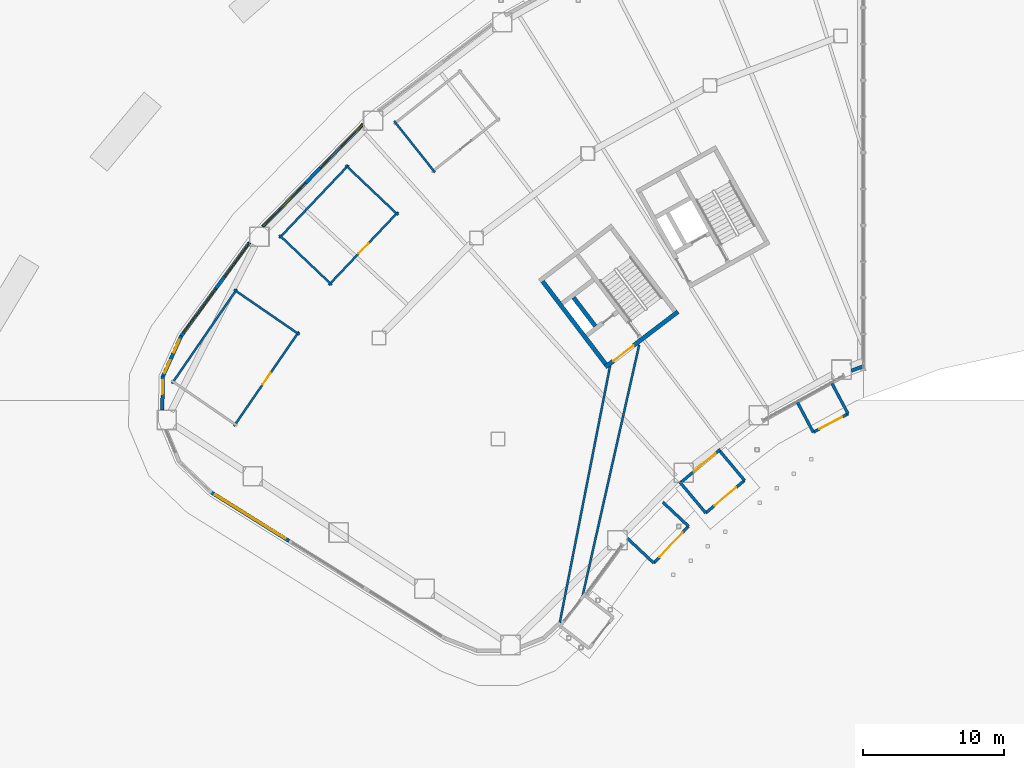
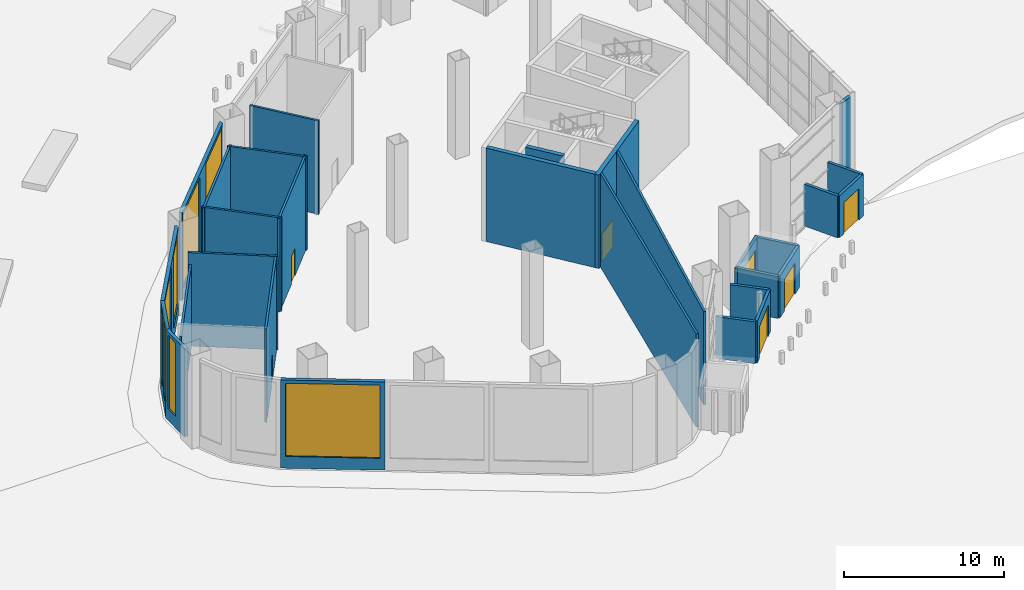
# One storey, part 31 of 45: 29 walls, 8 windows, 7 doors, 15 openings.
"""IFC4 building model written with IfcOpenShell, lengths in metres."""

from ifc_helpers import new_model, si_unit, direction, frame, frame_2d, origin, place, context, subcontext, project, spatial, rectangle, extrude, material, layer, layer_set, type_object, element, fill, save


model = new_model("IFC4")

# Units and contexts
model_context = context("Model", 3, precision=1e-05, world=origin(), true_north=direction((0.0, 1.0)))
body_context = subcontext(model_context, "Body", "Model", "MODEL_VIEW")
ifc_project = project(units=[si_unit("LENGTHUNIT", "METRE"), si_unit("AREAUNIT", "SQUARE_METRE"), si_unit("VOLUMEUNIT", "CUBIC_METRE"), si_unit("PLANEANGLEUNIT", "RADIAN"), si_unit("MASSUNIT", "GRAM", prefix="KILO")], contexts=[model_context])

# Site, building, storey
site_placement = place(None, origin())
site = spatial("IfcSite", under=ifc_project, at=site_placement, CompositionType="ELEMENT")
building_placement = place(site_placement, origin())
building = spatial("IfcBuilding", under=site, at=building_placement, Name="Tuul Gate Civic Tower", CompositionType="ELEMENT")
storey_placement = place(building_placement, origin())
storey = spatial("IfcBuildingStorey", under=building, at=storey_placement, Name="Level 00", CompositionType="ELEMENT", Elevation=0.0)

# Wall, opening, door
ifc_material_1 = material(Name="Concrete C50/60", Category="concrete")
ifc_layer_1 = layer(ifc_material_1, 0.300048828125)
ifc_layer_set_1 = layer_set([ifc_layer_1], Name="Concrete C50/60")
wall_type_1 = type_object("IfcWallType", Name="Core wall C50/60", PredefinedType="SHEAR", material=ifc_layer_set_1)
wall_1_placement = place(storey_placement, frame((-31.19091796875, -13.669677734375, 0.0), z_axis=(0.0, 0.0, 1.0), x_axis=(-0.795606717756, -0.605813461934, 0.0)))
wall_1 = element("IfcWall", 1, at=wall_1_placement, inside=storey, type_object=wall_type_1, Name="Core wall", PredefinedType="SHEAR", context=body_context, shape_type="SweptSolid", body=[
    extrude(rectangle(XDim=6.5, YDim=0.300048828125, at=frame_2d((3.25, 0.0))), origin(), (0.0, 0.0, 1.0), 7.14990234375),
])
opening_1_placement = place(wall_1_placement, frame((3.97509765625, 0.0, 0.0)))
opening_1 = element("IfcOpeningElement", 2, at=opening_1_placement, cuts=wall_1, Name="Opening LB-W1-LOBBY-1", PredefinedType="OPENING", context=body_context, shape_type="SweptSolid", body=[
    extrude(rectangle(XDim=1.800048828125, YDim=2.10009765625, at=frame_2d((0.89990234375, 1.050048828125))), frame((0.0, 0.16015625, 0.0), z_axis=(0.0, -1.0, 0.0), x_axis=(1.0, 0.0, 0.0)), (0.0, 0.0, 1.0), 0.320068359375),
])
ifc_material_2 = material(Name="Steel", Category="steel")
door_type_1 = type_object("IfcDoorType", Name="Lobby door", OperationType="DOUBLE_DOOR_SINGLE_SWING", PredefinedType="DOOR", material=ifc_material_2)
door_1_placement = place(opening_1_placement, frame((1.800048828125, 0.0, 0.0), z_axis=(0.0, 0.0, 1.0), x_axis=(-1.0, 0.0, 0.0)))
door_1 = element("IfcDoor", 3, at=door_1_placement, inside=storey, type_object=door_type_1, Name="Lobby door W1-LOBBY", OperationType="DOUBLE_DOOR_SINGLE_SWING", OverallHeight=2.10009765625, OverallWidth=1.800048828125, PredefinedType="DOOR", context=body_context, shape_type="SweptSolid", body=[
    extrude(rectangle(XDim=1.800048828125, YDim=2.10009765625, at=frame_2d((0.900146484375, 1.050048828125))), frame((0.0, 0.02490234375, 0.0), z_axis=(0.0, -1.0, 0.0), x_axis=(1.0, 0.0, 0.0)), (0.0, 0.0, 1.0), 0.050048828125),
])
fill(opening_1, door_1)

# Walls
wall_2_placement = place(storey_placement, frame((-37.073486328125, -14.6923828125, 0.0), z_axis=(0.0, 0.0, 1.0), x_axis=(-0.605728760074, 0.79567120673, 0.0)))
element("IfcWall", 4, at=wall_2_placement, inside=storey, type_object=wall_type_1, Name="Core wall", PredefinedType="SHEAR", context=body_context, shape_type="SweptSolid", body=[
    extrude(rectangle(XDim=2.550048828125, YDim=0.300048828125, at=frame_2d((1.27490234375, 0.0))), origin(), (0.0, 0.0, 1.0), 7.14990234375),
])
wall_3_placement = place(storey_placement, frame((-36.333984375, -17.397216796875, 0.0), z_axis=(0.0, 0.0, 1.0), x_axis=(-0.605753921168, 0.795652051458, 0.0)))
element("IfcWall", 5, at=wall_3_placement, inside=storey, type_object=wall_type_1, Name="Core wall", PredefinedType="SHEAR", context=body_context, shape_type="SweptSolid", body=[
    extrude(rectangle(XDim=7.400146484375, YDim=0.300048828125, at=frame_2d((3.7001953125, 0.0))), origin(), (0.0, 0.0, 1.0), 7.14990234375),
])
ifc_material_3 = material(Name="Fire-rated glazed steel S355", Category="steel")
ifc_layer_2 = layer(ifc_material_3, 0.199951171875)
ifc_layer_set_2 = layer_set([ifc_layer_2], Name="Fire-rated glazed steel S355")
wall_type_2 = type_object("IfcWallType", Name="Exit lobby wall", PredefinedType="SOLIDWALL", material=ifc_layer_set_2)
wall_4_placement = place(storey_placement, frame((-22.7373046875, -20.029296875, 0.0), z_axis=(0.0, 0.0, 1.0), x_axis=(0.467681307417, -0.883897162962, 0.0)))
element("IfcWall", 6, at=wall_4_placement, inside=storey, type_object=wall_type_2, Name="Exit lobby wall", PredefinedType="SOLIDWALL", context=body_context, shape_type="SweptSolid", body=[
    extrude(rectangle(XDim=2.5, YDim=0.199951171875, at=frame_2d((1.25, 0.0))), origin(), (0.0, 0.0, 1.0), 3.199951171875),
])
wall_5_placement = place(storey_placement, frame((-20.2626953125, -18.7197265625, 0.0), z_axis=(0.0, 0.0, 1.0), x_axis=(0.467797975124, -0.883835422729, 0.0)))
element("IfcWall", 7, at=wall_5_placement, inside=storey, type_object=wall_type_2, Name="Exit lobby wall", PredefinedType="SOLIDWALL", context=body_context, shape_type="SweptSolid", body=[
    extrude(rectangle(XDim=2.499755859375, YDim=0.199951171875, at=frame_2d((1.25, 0.0))), origin(), (0.0, 0.0, 1.0), 3.199951171875),
])

# Wall, opening, door
wall_6_placement = place(storey_placement, frame((-21.568115234375, -22.239013671875, 0.0), z_axis=(0.0, 0.0, 1.0), x_axis=(0.88384729284, 0.467775547607, 0.0)))
wall_6 = element("IfcWall", 8, at=wall_6_placement, inside=storey, type_object=wall_type_2, Name="Exit lobby wall", PredefinedType="SOLIDWALL", context=body_context, shape_type="SweptSolid", body=[
    extrude(rectangle(XDim=2.800048828125, YDim=0.199951171875, at=frame_2d((1.39990234375, 0.0))), origin(), (0.0, 0.0, 1.0), 3.199951171875),
])
opening_2_placement = place(wall_6_placement, frame((0.5, 0.0, 0.0)))
opening_2 = element("IfcOpeningElement", 9, at=opening_2_placement, cuts=wall_6, Name="Opening XD", PredefinedType="OPENING", context=body_context, shape_type="SweptSolid", body=[
    extrude(rectangle(XDim=1.800048828125, YDim=2.39990234375, at=frame_2d((0.89990234375, 1.199951171875))), frame((0.0, 0.10986328125, 0.0), z_axis=(0.0, -1.0, 0.0), x_axis=(1.0, 0.0, 0.0)), (0.0, 0.0, 1.0), 0.219970703125),
])
ifc_material_4 = material(Name="Glazed aluminium", Category="aluminium")
door_type_2 = type_object("IfcDoorType", Name="Exit door", OperationType="DOUBLE_DOOR_SINGLE_SWING", PredefinedType="DOOR", material=ifc_material_4)
door_2_placement = place(opening_2_placement, frame((1.800048828125, 0.0, 0.0), z_axis=(0.0, 0.0, 1.0), x_axis=(-1.0, 0.0, 0.0)))
door_2 = element("IfcDoor", 10, at=door_2_placement, inside=storey, type_object=door_type_2, Name="Exit door", OperationType="DOUBLE_DOOR_SINGLE_SWING", OverallHeight=2.39990234375, OverallWidth=1.800048828125, PredefinedType="DOOR", context=body_context, shape_type="SweptSolid", body=[
    extrude(rectangle(XDim=1.800048828125, YDim=2.39990234375, at=frame_2d((0.900146484375, 1.199951171875))), frame((0.0, 0.02490234375, 0.0), z_axis=(0.0, -1.0, 0.0), x_axis=(1.0, 0.0, 0.0)), (0.0, 0.0, 1.0), 0.050048828125),
])
fill(opening_2, door_2)

# Walls
wall_7_placement = place(storey_placement, frame((-34.7919921875, -29.78173828125, 0.0), z_axis=(0.0, 0.0, 1.0), x_axis=(0.728843781873, -0.684680028644, 0.0)))
element("IfcWall", 11, at=wall_7_placement, inside=storey, type_object=wall_type_2, Name="Exit lobby wall", PredefinedType="SOLIDWALL", context=body_context, shape_type="SweptSolid", body=[
    extrude(rectangle(XDim=2.58154296875, YDim=0.199951171875, at=frame_2d((1.290771484375, 0.0))), origin(), (0.0, 0.0, 1.0), 3.199951171875),
])
wall_8_placement = place(storey_placement, frame((-32.267578125, -27.2138671875, 0.0), z_axis=(0.0, 0.0, 1.0), x_axis=(0.728784570672, -0.684743053671, 0.0)))
element("IfcWall", 12, at=wall_8_placement, inside=storey, type_object=wall_type_2, Name="Exit lobby wall", PredefinedType="SOLIDWALL", context=body_context, shape_type="SweptSolid", body=[
    extrude(rectangle(XDim=2.5, YDim=0.199951171875, at=frame_2d((1.25, 0.0))), origin(), (0.0, 0.0, 1.0), 3.199951171875),
])

# Wall, opening, door
wall_9_placement = place(storey_placement, frame((-32.910400390625, -31.54931640625, 0.0), z_axis=(0.0, 0.0, 1.0), x_axis=(0.684721313955, 0.728804996014, 0.0)))
wall_9 = element("IfcWall", 13, at=wall_9_placement, inside=storey, type_object=wall_type_2, Name="Exit lobby wall", PredefinedType="SOLIDWALL", context=body_context, shape_type="SweptSolid", body=[
    extrude(rectangle(XDim=3.599853515625, YDim=0.199951171875, at=frame_2d((1.7998046875, 0.0))), origin(), (0.0, 0.0, 1.0), 3.199951171875),
])
opening_3_placement = place(wall_9_placement, frame((0.60009765625, 0.0, 0.0)))
opening_3 = element("IfcOpeningElement", 14, at=opening_3_placement, cuts=wall_9, Name="Opening XD1", PredefinedType="OPENING", context=body_context, shape_type="SweptSolid", body=[
    extrude(rectangle(XDim=2.39990234375, YDim=2.39990234375, at=frame_2d((1.199951171875, 1.199951171875))), frame((0.0, 0.10986328125, 0.0), z_axis=(0.0, -1.0, 0.0), x_axis=(1.0, 0.0, 0.0)), (0.0, 0.0, 1.0), 0.219970703125),
])
door_3_placement = place(opening_3_placement, frame((2.39990234375, 0.0, 0.0), z_axis=(0.0, 0.0, 1.0), x_axis=(-1.0, 0.0, 0.0)))
door_3 = element("IfcDoor", 15, at=door_3_placement, inside=storey, type_object=door_type_2, Name="Exit door", OperationType="DOUBLE_DOOR_SINGLE_SWING", OverallHeight=2.39990234375, OverallWidth=2.39990234375, PredefinedType="DOOR", context=body_context, shape_type="SweptSolid", body=[
    extrude(rectangle(XDim=2.39990234375, YDim=2.39990234375, at=frame_2d((1.199951171875, 1.199951171875))), frame((0.0, 0.02490234375, 0.0), z_axis=(0.0, -1.0, 0.0), x_axis=(1.0, 0.0, 0.0)), (0.0, 0.0, 1.0), 0.050048828125),
])
fill(opening_3, door_3)

# Wall, openings, windows
ifc_material_5 = material(Name="Precast concrete C40/50", Category="concrete")
ifc_layer_3 = layer(ifc_material_5, 0.25)
ifc_layer_set_3 = layer_set([ifc_layer_3], Name="Precast concrete C40/50")
wall_type_3 = type_object("IfcWallType", Name="External wall", PredefinedType="STANDARD", material=ifc_layer_set_3)
wall_10_placement = place(storey_placement, frame((-53.577880859375, -0.33154296875, 0.0), z_axis=(0.0, 0.0, 1.0), x_axis=(-0.700010487511, -0.714132562886, 0.0)))
wall_10 = element("IfcWall", 16, at=wall_10_placement, inside=storey, type_object=wall_type_3, Name="External wall", PredefinedType="STANDARD", context=body_context, shape_type="SweptSolid", body=[
    extrude(rectangle(XDim=10.217041015625, YDim=0.25, at=frame_2d((5.1083984375, 0.0))), origin(), (0.0, 0.0, 1.0), 6.75),
])
opening_4_placement = place(wall_10_placement, frame((0.052490234375, 0.0, 0.89990234375)))
opening_4 = element("IfcOpeningElement", 17, at=opening_4_placement, cuts=wall_10, Name="Opening W6", PredefinedType="OPENING", context=body_context, shape_type="SweptSolid", body=[
    extrude(rectangle(XDim=4.300048828125, YDim=5.60009765625, at=frame_2d((2.14990234375, 2.800048828125))), frame((0.0, 0.135009765625, 0.0), z_axis=(0.0, -1.0, 0.0), x_axis=(1.0, 0.0, 0.0)), (0.0, 0.0, 1.0), 0.27001953125),
])
opening_5_placement = place(wall_10_placement, frame((5.858154296875, 0.0, 0.89990234375)))
opening_5 = element("IfcOpeningElement", 18, at=opening_5_placement, cuts=wall_10, Name="Opening W6", PredefinedType="OPENING", context=body_context, shape_type="SweptSolid", body=[
    extrude(rectangle(XDim=4.300048828125, YDim=5.60009765625, at=frame_2d((2.14990234375, 2.800048828125))), frame((0.0, 0.135009765625, 0.0), z_axis=(0.0, -1.0, 0.0), x_axis=(1.0, 0.0, 0.0)), (0.0, 0.0, 1.0), 0.27001953125),
])
ifc_material_6 = material(Name="Glass", Category="glass")
window_type_1 = type_object("IfcWindowType", Name="Window W6 4300 x 5600", PartitioningType="SINGLE_PANEL", PredefinedType="WINDOW", material=ifc_material_6)
window_1_placement = place(opening_4_placement, origin())
window_1 = element("IfcWindow", 19, at=window_1_placement, inside=storey, type_object=window_type_1, Name="Window", OverallHeight=5.60009765625, OverallWidth=4.300048828125, PartitioningType="SINGLE_PANEL", PredefinedType="WINDOW", context=body_context, shape_type="SweptSolid", body=[
    extrude(rectangle(XDim=4.300048828125, YDim=5.60009765625, at=frame_2d((2.14990234375, 2.800048828125))), frame((0.0, 0.030029296875, 0.0), z_axis=(0.0, -1.0, 0.0), x_axis=(1.0, 0.0, 0.0)), (0.0, 0.0, 1.0), 0.06005859375),
])
fill(opening_4, window_1)
window_2_placement = place(opening_5_placement, origin())
window_2 = element("IfcWindow", 20, at=window_2_placement, inside=storey, type_object=window_type_1, Name="Window", OverallHeight=5.60009765625, OverallWidth=4.300048828125, PartitioningType="SINGLE_PANEL", PredefinedType="WINDOW", context=body_context, shape_type="SweptSolid", body=[
    extrude(rectangle(XDim=4.300048828125, YDim=5.60009765625, at=frame_2d((2.14990234375, 2.800048828125))), frame((0.0, 0.030029296875, 0.0), z_axis=(0.0, -1.0, 0.0), x_axis=(1.0, 0.0, 0.0)), (0.0, 0.0, 1.0), 0.06005859375),
])
fill(opening_5, window_2)

wall_11_placement = place(storey_placement, frame((-61.660888671875, -8.7353515625, 0.0), z_axis=(0.0, 0.0, 1.0), x_axis=(-0.589883240256, -0.807488552777, 0.0)))
wall_11 = element("IfcWall", 21, at=wall_11_placement, inside=storey, type_object=wall_type_3, Name="External wall", PredefinedType="STANDARD", context=body_context, shape_type="SweptSolid", body=[
    extrude(rectangle(XDim=8.26318359375, YDim=0.25, at=frame_2d((4.131591796875, 0.0))), origin(), (0.0, 0.0, 1.0), 6.75),
])
opening_6_placement = place(wall_11_placement, frame((0.0859375, 0.0, 0.89990234375)))
opening_6 = element("IfcOpeningElement", 22, at=opening_6_placement, cuts=wall_11, Name="Opening W81", PredefinedType="OPENING", context=body_context, shape_type="SweptSolid", body=[
    extrude(rectangle(XDim=2.89990234375, YDim=5.60009765625, at=frame_2d((1.449951171875, 2.800048828125))), frame((0.0, 0.135009765625, 0.0), z_axis=(0.0, -1.0, 0.0), x_axis=(1.0, 0.0, 0.0)), (0.0, 0.0, 1.0), 0.27001953125),
])
opening_7_placement = place(wall_11_placement, frame((4.0537109375, 0.0, 0.89990234375)))
opening_7 = element("IfcOpeningElement", 23, at=opening_7_placement, cuts=wall_11, Name="Opening W4", PredefinedType="OPENING", context=body_context, shape_type="SweptSolid", body=[
    extrude(rectangle(XDim=3.89990234375, YDim=5.60009765625, at=frame_2d((1.949951171875, 2.800048828125))), frame((0.0, 0.135009765625, 0.0), z_axis=(0.0, -1.0, 0.0), x_axis=(1.0, 0.0, 0.0)), (0.0, 0.0, 1.0), 0.27001953125),
])
ifc_material_7 = material(Name="Glass", Category="glass")
window_type_2 = type_object("IfcWindowType", Name="Window W4 3900 x 5600", PartitioningType="SINGLE_PANEL", PredefinedType="WINDOW", material=ifc_material_7)
window_3_placement = place(opening_7_placement, origin())
window_3 = element("IfcWindow", 24, at=window_3_placement, inside=storey, type_object=window_type_2, Name="Window", OverallHeight=5.60009765625, OverallWidth=3.89990234375, PartitioningType="SINGLE_PANEL", PredefinedType="WINDOW", context=body_context, shape_type="SweptSolid", body=[
    extrude(rectangle(XDim=3.89990234375, YDim=5.60009765625, at=frame_2d((1.949951171875, 2.800048828125))), frame((0.0, 0.030029296875, 0.0), z_axis=(0.0, -1.0, 0.0), x_axis=(1.0, 0.0, 0.0)), (0.0, 0.0, 1.0), 0.06005859375),
])
fill(opening_7, window_3)
ifc_material_8 = material(Name="Glass", Category="glass")
window_type_3 = type_object("IfcWindowType", Name="Window W81 2900 x 5600", PartitioningType="SINGLE_PANEL", PredefinedType="WINDOW", material=ifc_material_8)
window_4_placement = place(opening_6_placement, origin())
window_4 = element("IfcWindow", 25, at=window_4_placement, inside=storey, type_object=window_type_3, Name="Window", OverallHeight=5.60009765625, OverallWidth=2.89990234375, PartitioningType="SINGLE_PANEL", PredefinedType="WINDOW", context=body_context, shape_type="SweptSolid", body=[
    extrude(rectangle(XDim=2.89990234375, YDim=5.60009765625, at=frame_2d((1.449951171875, 2.800048828125))), frame((0.0, 0.030029296875, 0.0), z_axis=(0.0, -1.0, 0.0), x_axis=(1.0, 0.0, 0.0)), (0.0, 0.0, 1.0), 0.06005859375),
])
fill(opening_6, window_4)

wall_12_placement = place(storey_placement, frame((-66.522216796875, -15.385498046875, 0.0), z_axis=(0.0, 0.0, 1.0), x_axis=(-0.412481289983, -0.910966072592, 0.0)))
wall_12 = element("IfcWall", 26, at=wall_12_placement, inside=storey, type_object=wall_type_3, Name="External wall", PredefinedType="STANDARD", context=body_context, shape_type="SweptSolid", body=[
    extrude(rectangle(XDim=3.2021484375, YDim=0.25, at=frame_2d((1.60107421875, 0.0))), origin(), (0.0, 0.0, 1.0), 6.75),
])
opening_8_placement = place(wall_12_placement, frame((0.300537109375, 0.0, 0.89990234375)))
opening_8 = element("IfcOpeningElement", 27, at=opening_8_placement, cuts=wall_12, Name="Opening W3", PredefinedType="OPENING", context=body_context, shape_type="SweptSolid", body=[
    extrude(rectangle(XDim=1.0, YDim=5.60009765625, at=frame_2d((0.5, 2.800048828125))), frame((0.0, 0.135009765625, 0.0), z_axis=(0.0, -1.0, 0.0), x_axis=(1.0, 0.0, 0.0)), (0.0, 0.0, 1.0), 0.27001953125),
])
opening_9_placement = place(wall_12_placement, frame((1.901611328125, 0.0, 0.89990234375)))
opening_9 = element("IfcOpeningElement", 28, at=opening_9_placement, cuts=wall_12, Name="Opening W3", PredefinedType="OPENING", context=body_context, shape_type="SweptSolid", body=[
    extrude(rectangle(XDim=1.0, YDim=5.60009765625, at=frame_2d((0.5, 2.800048828125))), frame((0.0, 0.135009765625, 0.0), z_axis=(0.0, -1.0, 0.0), x_axis=(1.0, 0.0, 0.0)), (0.0, 0.0, 1.0), 0.27001953125),
])
ifc_material_9 = material(Name="Glass", Category="glass")
window_type_4 = type_object("IfcWindowType", Name="Window W3 1000 x 5600", PartitioningType="SINGLE_PANEL", PredefinedType="WINDOW", material=ifc_material_9)
window_5_placement = place(opening_8_placement, origin())
window_5 = element("IfcWindow", 29, at=window_5_placement, inside=storey, type_object=window_type_4, Name="Window", OverallHeight=5.60009765625, OverallWidth=1.0, PartitioningType="SINGLE_PANEL", PredefinedType="WINDOW", context=body_context, shape_type="SweptSolid", body=[
    extrude(rectangle(XDim=1.0, YDim=5.60009765625, at=frame_2d((0.5, 2.800048828125))), frame((0.0, 0.030029296875, 0.0), z_axis=(0.0, -1.0, 0.0), x_axis=(1.0, 0.0, 0.0)), (0.0, 0.0, 1.0), 0.06005859375),
])
fill(opening_8, window_5)
window_6_placement = place(opening_9_placement, origin())
window_6 = element("IfcWindow", 30, at=window_6_placement, inside=storey, type_object=window_type_4, Name="Window", OverallHeight=5.60009765625, OverallWidth=1.0, PartitioningType="SINGLE_PANEL", PredefinedType="WINDOW", context=body_context, shape_type="SweptSolid", body=[
    extrude(rectangle(XDim=1.0, YDim=5.60009765625, at=frame_2d((0.5, 2.800048828125))), frame((0.0, 0.030029296875, 0.0), z_axis=(0.0, -1.0, 0.0), x_axis=(1.0, 0.0, 0.0)), (0.0, 0.0, 1.0), 0.06005859375),
])
fill(opening_9, window_6)

# Wall, opening, window
wall_13_placement = place(storey_placement, frame((-67.83203125, -18.2529296875, 0.0), z_axis=(0.0, 0.0, 1.0), x_axis=(-0.014662663038, -0.999892497378, 0.0)))
wall_13 = element("IfcWall", 31, at=wall_13_placement, inside=storey, type_object=wall_type_3, Name="External wall", PredefinedType="STANDARD", context=body_context, shape_type="SweptSolid", body=[
    extrude(rectangle(XDim=2.414306640625, YDim=0.25, at=frame_2d((1.20703125, 0.0))), origin(), (0.0, 0.0, 1.0), 6.75),
])
opening_10_placement = place(wall_13_placement, frame((0.300537109375, 0.0, 0.89990234375)))
opening_10 = element("IfcOpeningElement", 32, at=opening_10_placement, cuts=wall_13, Name="Opening W3", PredefinedType="OPENING", context=body_context, shape_type="SweptSolid", body=[
    extrude(rectangle(XDim=1.0, YDim=5.60009765625, at=frame_2d((0.5, 2.800048828125))), frame((0.0, 0.135009765625, 0.0), z_axis=(0.0, -1.0, 0.0), x_axis=(1.0, 0.0, 0.0)), (0.0, 0.0, 1.0), 0.27001953125),
])
window_7_placement = place(opening_10_placement, origin())
window_7 = element("IfcWindow", 33, at=window_7_placement, inside=storey, type_object=window_type_4, Name="Window", OverallHeight=5.60009765625, OverallWidth=1.0, PartitioningType="SINGLE_PANEL", PredefinedType="WINDOW", context=body_context, shape_type="SweptSolid", body=[
    extrude(rectangle(XDim=1.0, YDim=5.60009765625, at=frame_2d((0.5, 2.800048828125))), frame((0.0, 0.030029296875, 0.0), z_axis=(0.0, -1.0, 0.0), x_axis=(1.0, 0.0, 0.0)), (0.0, 0.0, 1.0), 0.06005859375),
])
fill(opening_10, window_7)

wall_14_placement = place(storey_placement, frame((-64.3896484375, -26.514892578125, 0.0), z_axis=(0.0, 0.0, 1.0), x_axis=(0.84801510827, -0.529972052232, 0.0)))
wall_14 = element("IfcWall", 34, at=wall_14_placement, inside=storey, type_object=wall_type_3, Name="External wall", PredefinedType="STANDARD", context=body_context, shape_type="SweptSolid", body=[
    extrude(rectangle(XDim=6.529541015625, YDim=0.25, at=frame_2d((3.2646484375, 0.0))), origin(), (0.0, 0.0, 1.0), 6.75),
])
opening_11_placement = place(wall_14_placement, frame((0.314697265625, 0.0, 0.89990234375)))
opening_11 = element("IfcOpeningElement", 35, at=opening_11_placement, cuts=wall_14, Name="Opening W7", PredefinedType="OPENING", context=body_context, shape_type="SweptSolid", body=[
    extrude(rectangle(XDim=5.89990234375, YDim=5.60009765625, at=frame_2d((2.949951171875, 2.800048828125))), frame((0.0, 0.135009765625, 0.0), z_axis=(0.0, -1.0, 0.0), x_axis=(1.0, 0.0, 0.0)), (0.0, 0.0, 1.0), 0.27001953125),
])
ifc_material_10 = material(Name="Glass", Category="glass")
window_type_5 = type_object("IfcWindowType", Name="Window W7 5900 x 5600", PartitioningType="SINGLE_PANEL", PredefinedType="WINDOW", material=ifc_material_10)
window_8_placement = place(opening_11_placement, origin())
window_8 = element("IfcWindow", 36, at=window_8_placement, inside=storey, type_object=window_type_5, Name="Window", OverallHeight=5.60009765625, OverallWidth=5.89990234375, PartitioningType="SINGLE_PANEL", PredefinedType="WINDOW", context=body_context, shape_type="SweptSolid", body=[
    extrude(rectangle(XDim=5.89990234375, YDim=5.60009765625, at=frame_2d((2.949951171875, 2.800048828125))), frame((0.0, 0.030029296875, 0.0), z_axis=(0.0, -1.0, 0.0), x_axis=(1.0, 0.0, 0.0)), (0.0, 0.0, 1.0), 0.06005859375),
])
fill(opening_11, window_8)

# Walls
wall_15_placement = place(storey_placement, frame((-18.85791015625, -17.866455078125, 0.0), z_axis=(0.0, 0.0, 1.0), x_axis=(0.935298808459, 0.353858925132, 0.0)))
element("IfcWall", 37, at=wall_15_placement, inside=storey, type_object=wall_type_3, Name="External wall", PredefinedType="STANDARD", context=body_context, shape_type="SweptSolid", body=[
    extrude(rectangle(XDim=0.8701171875, YDim=0.25, at=frame_2d((0.43505859375, 0.0))), origin(), (0.0, 0.0, 1.0), 6.75),
])
ifc_material_11 = material(Name="Concrete block", Category="concrete")
ifc_layer_4 = layer(ifc_material_11, 0.14990234375)
ifc_layer_set_4 = layer_set([ifc_layer_4], Name="Concrete block")
wall_type_4 = type_object("IfcWallType", Name="Ground floor room wall", PredefinedType="PARTITIONING", material=ifc_layer_set_4)
wall_16_placement = place(storey_placement, frame((-36.007080078125, -17.454833984375, 0.0), z_axis=(0.0, 0.0, 1.0), x_axis=(-0.192288154493, -0.981338507163, 0.0)))
element("IfcWall", 38, at=wall_16_placement, inside=storey, type_object=wall_type_4, Name="Room wall", PredefinedType="PARTITIONING", context=body_context, shape_type="SweptSolid", body=[
    extrude(rectangle(XDim=18.686767578125, YDim=0.14990234375, at=frame_2d((9.34326171875, 0.0))), origin(), (0.0, 0.0, 1.0), 7.14990234375),
])
wall_17_placement = place(storey_placement, frame((-37.984619140625, -33.92578125, 0.0), z_axis=(0.0, 0.0, 1.0), x_axis=(0.219915662808, 0.975518888209, 0.0)))
element("IfcWall", 39, at=wall_17_placement, inside=storey, type_object=wall_type_4, Name="Room wall", PredefinedType="PARTITIONING", context=body_context, shape_type="SweptSolid", body=[
    extrude(rectangle(XDim=18.343017578125, YDim=0.14990234375, at=frame_2d((9.17138671875, 0.0))), origin(), (0.0, 0.0, 1.0), 7.14990234375),
])

# Wall, opening, door
wall_18_placement = place(storey_placement, frame((-58.15283203125, -15.087890625, 0.0), z_axis=(0.0, 0.0, 1.0), x_axis=(-0.566396598681, -0.82413281272, 0.0)))
wall_18 = element("IfcWall", 40, at=wall_18_placement, inside=storey, type_object=wall_type_4, Name="Room wall", PredefinedType="PARTITIONING", context=body_context, shape_type="SweptSolid", body=[
    extrude(rectangle(XDim=8.150146484375, YDim=0.14990234375, at=frame_2d((4.0751953125, 0.0))), origin(), (0.0, 0.0, 1.0), 7.14990234375),
])
opening_12_placement = place(wall_18_placement, frame((3.574951171875, 0.0, 0.0)))
opening_12 = element("IfcOpeningElement", 41, at=opening_12_placement, cuts=wall_18, Name="Opening GD", PredefinedType="OPENING", context=body_context, shape_type="SweptSolid", body=[
    extrude(rectangle(XDim=1.0, YDim=2.10009765625, at=frame_2d((0.5, 1.050048828125))), frame((0.0, 0.0849609375, 0.0), z_axis=(0.0, -1.0, 0.0), x_axis=(1.0, 0.0, 0.0)), (0.0, 0.0, 1.0), 0.169921875),
])
ifc_material_12 = material(Name="Timber", Category="wood")
door_type_3 = type_object("IfcDoorType", Name="Ground floor room door", OperationType="NOTDEFINED", PredefinedType="DOOR", material=ifc_material_12)
door_4_placement = place(opening_12_placement, frame((1.0, 0.0, 0.0), z_axis=(0.0, 0.0, 1.0), x_axis=(-1.0, 0.0, 0.0)))
door_4 = element("IfcDoor", 42, at=door_4_placement, inside=storey, type_object=door_type_3, Name="Security screening door", OperationType="SINGLE_SWING_RIGHT", OverallHeight=2.10009765625, OverallWidth=1.0, PredefinedType="DOOR", context=body_context, shape_type="SweptSolid", body=[
    extrude(rectangle(XDim=1.0, YDim=2.10009765625, at=frame_2d((0.5, 1.050048828125))), frame((0.0, 0.02490234375, 0.0), z_axis=(0.0, -1.0, 0.0), x_axis=(1.0, 0.0, 0.0)), (0.0, 0.0, 1.0), 0.050048828125),
])
fill(opening_12, door_4)

# Wall
wall_19_placement = place(storey_placement, frame((-62.7705078125, -12.096435546875, 0.0), z_axis=(0.0, 0.0, 1.0), x_axis=(0.824122607175, -0.566411447927, 0.0)))
element("IfcWall", 43, at=wall_19_placement, inside=storey, type_object=wall_type_4, Name="Room wall", PredefinedType="PARTITIONING", context=body_context, shape_type="SweptSolid", body=[
    extrude(rectangle(XDim=5.64990234375, YDim=0.14990234375, at=frame_2d((2.824951171875, 0.0))), origin(), (0.0, 0.0, 1.0), 7.14990234375),
])

# Wall, opening, door
wall_20_placement = place(storey_placement, frame((-51.101318359375, -6.578125, 0.0), z_axis=(0.0, 0.0, 1.0), x_axis=(-0.688358110376, -0.725371016708, 0.0)))
wall_20 = element("IfcWall", 44, at=wall_20_placement, inside=storey, type_object=wall_type_4, Name="Room wall", PredefinedType="PARTITIONING", context=body_context, shape_type="SweptSolid", body=[
    extrude(rectangle(XDim=7.150146484375, YDim=0.14990234375, at=frame_2d((3.5751953125, 0.0))), origin(), (0.0, 0.0, 1.0), 7.14990234375),
])
opening_13_placement = place(wall_20_placement, frame((3.074951171875, 0.0, 0.0)))
opening_13 = element("IfcOpeningElement", 45, at=opening_13_placement, cuts=wall_20, Name="Opening GD", PredefinedType="OPENING", context=body_context, shape_type="SweptSolid", body=[
    extrude(rectangle(XDim=1.0, YDim=2.10009765625, at=frame_2d((0.5, 1.050048828125))), frame((0.0, 0.0849609375, 0.0), z_axis=(0.0, -1.0, 0.0), x_axis=(1.0, 0.0, 0.0)), (0.0, 0.0, 1.0), 0.169921875),
])
door_5_placement = place(opening_13_placement, frame((1.0, 0.0, 0.0), z_axis=(0.0, 0.0, 1.0), x_axis=(-1.0, 0.0, 0.0)))
door_5 = element("IfcDoor", 46, at=door_5_placement, inside=storey, type_object=door_type_3, Name="Visitor registration door", OperationType="SINGLE_SWING_RIGHT", OverallHeight=2.10009765625, OverallWidth=1.0, PredefinedType="DOOR", context=body_context, shape_type="SweptSolid", body=[
    extrude(rectangle(XDim=1.0, YDim=2.10009765625, at=frame_2d((0.5, 1.050048828125))), frame((0.0, 0.02490234375, 0.0), z_axis=(0.0, -1.0, 0.0), x_axis=(1.0, 0.0, 0.0)), (0.0, 0.0, 1.0), 0.050048828125),
])
fill(opening_13, door_5)

# Walls
wall_21_placement = place(storey_placement, frame((-55.81103515625, -11.759033203125, 0.0), z_axis=(0.0, 0.0, 1.0), x_axis=(-0.725376899916, 0.688351910776, 0.0)))
element("IfcWall", 47, at=wall_21_placement, inside=storey, type_object=wall_type_4, Name="Room wall", PredefinedType="PARTITIONING", context=body_context, shape_type="SweptSolid", body=[
    extrude(rectangle(XDim=5.14990234375, YDim=0.14990234375, at=frame_2d((2.574951171875, 0.0))), origin(), (0.0, 0.0, 1.0), 7.14990234375),
])
wall_22_placement = place(storey_placement, frame((-59.541015625, -8.426025390625, 0.0), z_axis=(0.0, 0.0, 1.0), x_axis=(0.688340144036, 0.725388065871, 0.0)))
element("IfcWall", 48, at=wall_22_placement, inside=storey, type_object=wall_type_4, Name="Room wall", PredefinedType="PARTITIONING", context=body_context, shape_type="SweptSolid", body=[
    extrude(rectangle(XDim=7.14990234375, YDim=0.14990234375, at=frame_2d((3.574951171875, 0.0))), origin(), (0.0, 0.0, 1.0), 7.14990234375),
])
wall_23_placement = place(storey_placement, frame((-54.83154296875, -3.2451171875, 0.0), z_axis=(0.0, 0.0, 1.0), x_axis=(0.725375691766, -0.688353183907, 0.0)))
element("IfcWall", 49, at=wall_23_placement, inside=storey, type_object=wall_type_4, Name="Room wall", PredefinedType="PARTITIONING", context=body_context, shape_type="SweptSolid", body=[
    extrude(rectangle(XDim=5.150146484375, YDim=0.14990234375, at=frame_2d((2.5751953125, 0.0))), origin(), (0.0, 0.0, 1.0), 7.14990234375),
])
wall_24_placement = place(storey_placement, frame((-48.478759765625, -3.752685546875, 0.0), z_axis=(0.0, 0.0, 1.0), x_axis=(-0.622489946605, 0.782627795555, 0.0)))
element("IfcWall", 50, at=wall_24_placement, inside=storey, type_object=wall_type_4, Name="Room wall", PredefinedType="PARTITIONING", context=body_context, shape_type="SweptSolid", body=[
    extrude(rectangle(XDim=4.64990234375, YDim=0.14990234375, at=frame_2d((2.324951171875, 0.0))), origin(), (0.0, 0.0, 1.0), 7.14990234375),
])
ifc_material_13 = material(Name="Concrete block", Category="concrete")
ifc_layer_5 = layer(ifc_material_13, 0.14990234375)
ifc_layer_set_5 = layer_set([ifc_layer_5], Name="Concrete block")
wall_type_5 = type_object("IfcWallType", Name="Ground floor room wall 6250 HIGH", PredefinedType="PARTITIONING", material=ifc_layer_set_5)
wall_25_placement = place(storey_placement, frame((-67.17822265625, -18.7744140625, 0.0), z_axis=(0.0, 0.0, 1.0), x_axis=(0.566396598681, 0.82413281272, 0.0)))
element("IfcWall", 51, at=wall_25_placement, inside=storey, type_object=wall_type_5, Name="Room wall", PredefinedType="PARTITIONING", context=body_context, shape_type="SweptSolid", body=[
    extrude(rectangle(XDim=8.150146484375, YDim=0.14990234375, at=frame_2d((4.0751953125, 0.0))), origin(), (0.0, 0.0, 1.0), 6.25),
])
ifc_material_14 = material(Name="Glazed aluminium", Category="aluminium")
ifc_layer_6 = layer(ifc_material_14, 0.199951171875)
ifc_layer_set_6 = layer_set([ifc_layer_6], Name="Glazed aluminium")
wall_type_6 = type_object("IfcWallType", Name="Vestibule wall", PredefinedType="SOLIDWALL", material=ifc_layer_set_6)
wall_26_placement = place(storey_placement, frame((-31.034423828125, -25.81494140625, 0.0), z_axis=(0.0, 0.0, 1.0), x_axis=(0.642787142339, -0.76604483527, 0.0)))
element("IfcWall", 52, at=wall_26_placement, inside=storey, type_object=wall_type_6, Name="Vestibule wall", PredefinedType="SOLIDWALL", context=body_context, shape_type="SweptSolid", body=[
    extrude(rectangle(XDim=2.828369140625, YDim=0.199951171875, at=frame_2d((1.4140625, 0.0))), origin(), (0.0, 0.0, 1.0), 3.199951171875),
])
wall_27_placement = place(storey_placement, frame((-28.194091796875, -23.599365234375, 0.0), z_axis=(0.0, 0.0, 1.0), x_axis=(0.642795458625, -0.766037857009, 0.0)))
element("IfcWall", 53, at=wall_27_placement, inside=storey, type_object=wall_type_6, Name="Vestibule wall", PredefinedType="SOLIDWALL", context=body_context, shape_type="SweptSolid", body=[
    extrude(rectangle(XDim=2.7001953125, YDim=0.199951171875, at=frame_2d((1.35009765625, 0.0))), origin(), (0.0, 0.0, 1.0), 3.199951171875),
])

# Wall, opening, door
wall_28_placement = place(storey_placement, frame((-29.21630859375, -27.981689453125, 0.0), z_axis=(0.0, 0.0, 1.0), x_axis=(0.766060118845, 0.642768927621, 0.0)))
wall_28 = element("IfcWall", 54, at=wall_28_placement, inside=storey, type_object=wall_type_6, Name="Vestibule wall", PredefinedType="SOLIDWALL", context=body_context, shape_type="SweptSolid", body=[
    extrude(rectangle(XDim=3.60009765625, YDim=0.199951171875, at=frame_2d((1.800048828125, 0.0))), origin(), (0.0, 0.0, 1.0), 3.199951171875),
])
opening_14_placement = place(wall_28_placement, frame((0.800048828125, 0.0, 0.0)))
opening_14 = element("IfcOpeningElement", 55, at=opening_14_placement, cuts=wall_28, Name="Opening ED", PredefinedType="OPENING", context=body_context, shape_type="SweptSolid", body=[
    extrude(rectangle(XDim=2.0, YDim=2.39990234375, at=frame_2d((1.0, 1.199951171875))), frame((0.0, 0.10986328125, 0.0), z_axis=(0.0, -1.0, 0.0), x_axis=(1.0, 0.0, 0.0)), (0.0, 0.0, 1.0), 0.219970703125),
])
ifc_material_15 = material(Name="Glazed aluminium", Category="aluminium")
door_type_4 = type_object("IfcDoorType", Name="Entrance door", OperationType="DOUBLE_DOOR_SINGLE_SWING", PredefinedType="DOOR", material=ifc_material_15)
door_6_placement = place(opening_14_placement, frame((2.0, 0.0, 0.0), z_axis=(0.0, 0.0, 1.0), x_axis=(-1.0, 0.0, 0.0)))
door_6 = element("IfcDoor", 56, at=door_6_placement, inside=storey, type_object=door_type_4, Name="Entrance door", OperationType="DOUBLE_DOOR_SINGLE_SWING", OverallHeight=2.39990234375, OverallWidth=2.0, PredefinedType="DOOR", context=body_context, shape_type="SweptSolid", body=[
    extrude(rectangle(XDim=2.0, YDim=2.39990234375, at=frame_2d((1.0, 1.199951171875))), frame((0.0, 0.02490234375, 0.0), z_axis=(0.0, -1.0, 0.0), x_axis=(1.0, 0.0, 0.0)), (0.0, 0.0, 1.0), 0.050048828125),
])
fill(opening_14, door_6)

wall_29_placement = place(storey_placement, frame((-31.0927734375, -25.901123046875, 0.0), z_axis=(0.0, 0.0, 1.0), x_axis=(0.766057856051, 0.642771624438, 0.0)))
wall_29 = element("IfcWall", 57, at=wall_29_placement, inside=storey, type_object=wall_type_6, Name="Vestibule wall", PredefinedType="SOLIDWALL", context=body_context, shape_type="SweptSolid", body=[
    extrude(rectangle(XDim=3.800048828125, YDim=0.199951171875, at=frame_2d((1.89990234375, 0.0))), origin(), (0.0, 0.0, 1.0), 3.199951171875),
])
opening_15_placement = place(wall_29_placement, frame((1.35009765625, 0.0, 0.0)))
opening_15 = element("IfcOpeningElement", 58, at=opening_15_placement, cuts=wall_29, Name="Opening ED", PredefinedType="OPENING", context=body_context, shape_type="SweptSolid", body=[
    extrude(rectangle(XDim=2.0, YDim=2.39990234375, at=frame_2d((1.0, 1.199951171875))), frame((0.0, 0.10986328125, 0.0), z_axis=(0.0, -1.0, 0.0), x_axis=(1.0, 0.0, 0.0)), (0.0, 0.0, 1.0), 0.219970703125),
])
door_7_placement = place(opening_15_placement, frame((2.0, 0.0, 0.0), z_axis=(0.0, 0.0, 1.0), x_axis=(-1.0, 0.0, 0.0)))
door_7 = element("IfcDoor", 59, at=door_7_placement, inside=storey, type_object=door_type_4, Name="Entrance inner door", OperationType="DOUBLE_DOOR_SINGLE_SWING", OverallHeight=2.39990234375, OverallWidth=2.0, PredefinedType="DOOR", context=body_context, shape_type="SweptSolid", body=[
    extrude(rectangle(XDim=2.0, YDim=2.39990234375, at=frame_2d((1.0, 1.199951171875))), frame((0.0, 0.02490234375, 0.0), z_axis=(0.0, -1.0, 0.0), x_axis=(1.0, 0.0, 0.0)), (0.0, 0.0, 1.0), 0.050048828125),
])
fill(opening_15, door_7)

save(model, "model.ifc")
